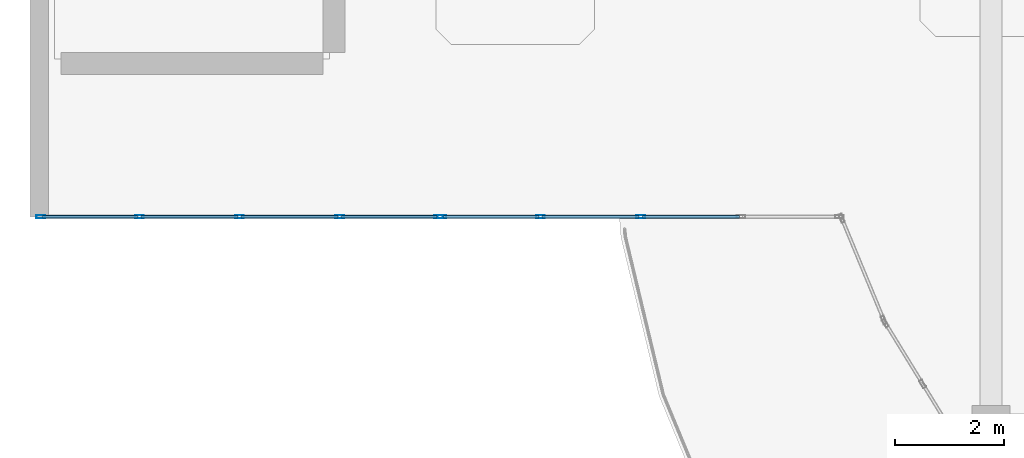
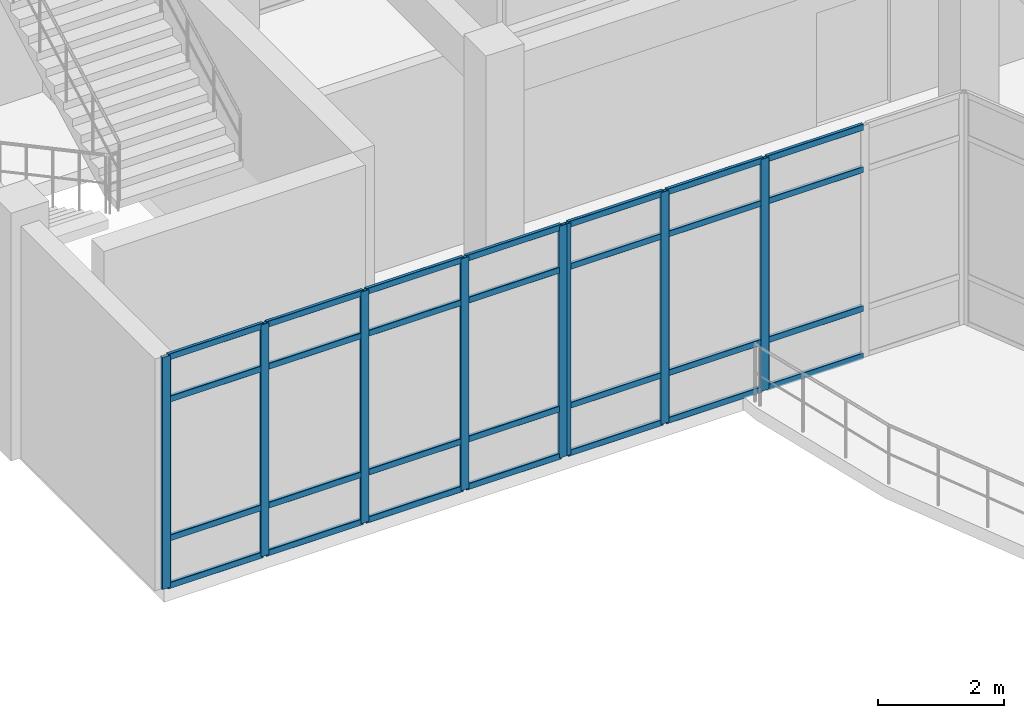
# One storey, part 2 of 64: 36 members, 2 elements without a shape of their own.
"""IFC4 building model written with IfcOpenShell, lengths in metres."""

from ifc_helpers import new_model, si_unit, derived_unit, direction, frame, origin, origin_2d, place, context, subcontext, project, spatial, hollow_rectangle, extrude, material, layer, layer_set, material_profile, profile_set, type_object, element, aggregate, save


model = new_model("IFC4")

# Units and contexts
model_context = context("Model", 3, precision=1e-05, world=origin(), true_north=direction((0.0, 1.0)))
body_context = subcontext(model_context, "Body", "Model", "MODEL_VIEW")
ifc_project = project(units=[si_unit("LENGTHUNIT", "METRE"), si_unit("AREAUNIT", "SQUARE_METRE"), si_unit("VOLUMEUNIT", "CUBIC_METRE"), si_unit("PLANEANGLEUNIT", "RADIAN"), si_unit("MASSUNIT", "GRAM", prefix="KILO"), derived_unit("THERMALTRANSMITTANCEUNIT", [(si_unit("MASSUNIT", "GRAM", prefix="KILO"), 1), (si_unit("TIMEUNIT", "SECOND"), -3), (si_unit("THERMODYNAMICTEMPERATUREUNIT", "KELVIN"), -1)])], contexts=[model_context])

# Site, building, storey
site_placement = place(None, origin())
site = spatial("IfcSite", under=ifc_project, at=site_placement, CompositionType="ELEMENT")
building_placement = place(site_placement, origin())
building = spatial("IfcBuilding", under=site, at=building_placement, Name="Qinzheling Arcade Emporium", CompositionType="ELEMENT")
storey_placement = place(building_placement, frame((0.0, 0.0, 31.5)))
storey = spatial("IfcBuildingStorey", under=building, at=storey_placement, Name="L07", CompositionType="ELEMENT", Elevation=31.5)

# Curtain wall, members
ifc_material_1 = material(Name="Anodised aluminium and solar-control double glazing", Category="aluminium")
ifc_layer = layer(ifc_material_1, 0.159912109375, Name="Anodised aluminium and solar-control double glazing", Category="aluminium")
ifc_layer_set = layer_set([ifc_layer], Name="Anodised aluminium and solar-control double glazing")
curtain_wall_type = type_object("IfcCurtainWallType", Name="Arcade Portal Glazed Curtain Wall", PredefinedType="NOTDEFINED", material=ifc_layer_set)
curtain_wall_1_placement = place(storey_placement, origin())
curtain_wall_1 = element("IfcCurtainWall", 1, at=curtain_wall_1_placement, inside=storey, type_object=curtain_wall_type, Name="Curtain Wall CW-L07-409", PredefinedType="NOTDEFINED")
ifc_material_2 = material(Name="Anodised aluminium 6063-T6", Category="aluminium")
ifc_material_profile_1 = material_profile(ifc_material_2, hollow_rectangle(XDim=0.06005859375, YDim=0.159912109375, WallThickness=0.00390625, InnerFilletRadius=0.00390625, OuterFilletRadius=0.008056640625, at=origin_2d()), Name="RHS 160x60x4", Category="aluminium")
ifc_profile_set_1 = profile_set([ifc_material_profile_1], Name="Anodised aluminium 6063-T6")
member_type_1 = type_object("IfcMemberType", Name="Curtain Wall Mullion RHS160x60", PredefinedType="MULLION", material=ifc_profile_set_1)
member_1_placement = place(storey_placement, frame((10.99560546875, 29.0, 0.0), z_axis=(0.0, 0.0, 1.0), x_axis=(0.0, -1.0, 0.0)))
member_1 = element("IfcMember", 2, at=member_1_placement, type_object=member_type_1, Name="CW05 mullion 3", PredefinedType="MULLION", context=body_context, shape_type="SweptSolid", body=[
    extrude(hollow_rectangle(XDim=0.06005859375, YDim=0.159912109375, WallThickness=0.00390625, InnerFilletRadius=0.00390625, OuterFilletRadius=0.008056640625, at=origin_2d()), origin(), (0.0, 0.0, 1.0), 4.489990234375),
])
member_2_placement = place(storey_placement, frame((9.163818359375, 29.0, 0.0), z_axis=(0.0, 0.0, 1.0), x_axis=(0.0, -1.0, 0.0)))
member_2 = element("IfcMember", 3, at=member_2_placement, type_object=member_type_1, Name="CW05 mullion 4", PredefinedType="MULLION", context=body_context, shape_type="SweptSolid", body=[
    extrude(hollow_rectangle(XDim=0.06005859375, YDim=0.159912109375, WallThickness=0.00390625, InnerFilletRadius=0.00390625, OuterFilletRadius=0.008056640625, at=origin_2d()), origin(), (0.0, 0.0, 1.0), 4.489990234375),
])
member_3_placement = place(storey_placement, frame((7.362060546875, 29.0, 0.0), z_axis=(0.0, 0.0, 1.0), x_axis=(0.0, -1.0, 0.0)))
member_3 = element("IfcMember", 4, at=member_3_placement, type_object=member_type_1, Name="CW05 mullion 5", PredefinedType="MULLION", context=body_context, shape_type="SweptSolid", body=[
    extrude(hollow_rectangle(XDim=0.06005859375, YDim=0.159912109375, WallThickness=0.00390625, InnerFilletRadius=0.00390625, OuterFilletRadius=0.008056640625, at=origin_2d()), origin(), (0.0, 0.0, 1.0), 4.489990234375),
])

curtain_wall_2_placement = place(storey_placement, origin())
curtain_wall_2 = element("IfcCurtainWall", 5, at=curtain_wall_2_placement, inside=storey, type_object=curtain_wall_type, Name="Curtain Wall CW-L07-410", PredefinedType="NOTDEFINED")
member_4_placement = place(storey_placement, frame((7.298095703125, 29.0, 0.0), z_axis=(0.0, 0.0, 1.0), x_axis=(0.0, -1.0, 0.0)))
member_4 = element("IfcMember", 6, at=member_4_placement, type_object=member_type_1, Name="CW05 mullion 1", PredefinedType="MULLION", context=body_context, shape_type="SweptSolid", body=[
    extrude(hollow_rectangle(XDim=0.06005859375, YDim=0.159912109375, WallThickness=0.00390625, InnerFilletRadius=0.00390625, OuterFilletRadius=0.008056640625, at=origin_2d()), origin(), (0.0, 0.0, 1.0), 4.489990234375),
])
member_5_placement = place(storey_placement, frame((5.49609375, 29.0, 0.0), z_axis=(0.0, 0.0, 1.0), x_axis=(0.0, -1.0, 0.0)))
member_5 = element("IfcMember", 7, at=member_5_placement, type_object=member_type_1, Name="CW05 mullion 2", PredefinedType="MULLION", context=body_context, shape_type="SweptSolid", body=[
    extrude(hollow_rectangle(XDim=0.06005859375, YDim=0.159912109375, WallThickness=0.00390625, InnerFilletRadius=0.00390625, OuterFilletRadius=0.008056640625, at=origin_2d()), origin(), (0.0, 0.0, 1.0), 4.489990234375),
])
member_6_placement = place(storey_placement, frame((3.6640625, 29.0, 0.0), z_axis=(0.0, 0.0, 1.0), x_axis=(0.0, -1.0, 0.0)))
member_6 = element("IfcMember", 8, at=member_6_placement, type_object=member_type_1, Name="CW05 mullion 3", PredefinedType="MULLION", context=body_context, shape_type="SweptSolid", body=[
    extrude(hollow_rectangle(XDim=0.06005859375, YDim=0.159912109375, WallThickness=0.00390625, InnerFilletRadius=0.00390625, OuterFilletRadius=0.008056640625, at=origin_2d()), origin(), (0.0, 0.0, 1.0), 4.489990234375),
])
member_7_placement = place(storey_placement, frame((1.83203125, 29.0, 0.0), z_axis=(0.0, 0.0, 1.0), x_axis=(0.0, -1.0, 0.0)))
member_7 = element("IfcMember", 9, at=member_7_placement, type_object=member_type_1, Name="CW05 mullion 4", PredefinedType="MULLION", context=body_context, shape_type="SweptSolid", body=[
    extrude(hollow_rectangle(XDim=0.06005859375, YDim=0.159912109375, WallThickness=0.00390625, InnerFilletRadius=0.00390625, OuterFilletRadius=0.008056640625, at=origin_2d()), origin(), (0.0, 0.0, 1.0), 4.489990234375),
])
member_8_placement = place(storey_placement, frame((0.030029296875, 29.0, 0.0), z_axis=(0.0, 0.0, 1.0), x_axis=(0.0, -1.0, 0.0)))
member_8 = element("IfcMember", 10, at=member_8_placement, type_object=member_type_1, Name="CW05 mullion 5", PredefinedType="MULLION", context=body_context, shape_type="SweptSolid", body=[
    extrude(hollow_rectangle(XDim=0.06005859375, YDim=0.159912109375, WallThickness=0.00390625, InnerFilletRadius=0.00390625, OuterFilletRadius=0.008056640625, at=origin_2d()), origin(), (0.0, 0.0, 1.0), 4.489990234375),
])

# Member
ifc_material_profile_2 = material_profile(ifc_material_2, hollow_rectangle(XDim=0.06005859375, YDim=0.1201171875, WallThickness=0.00390625, InnerFilletRadius=0.00390625, OuterFilletRadius=0.008056640625, at=origin_2d()), Name="RHS 120x60x4", Category="aluminium")
ifc_profile_set_2 = profile_set([ifc_material_profile_2], Name="Anodised aluminium 6063-T6")
member_type_2 = type_object("IfcMemberType", Name="Curtain Wall Transom RHS120x60", PredefinedType="USERDEFINED", material=ifc_profile_set_2)
member_9_placement = place(storey_placement, frame((12.79736328125, 29.0, 0.030029296875), z_axis=(-1.0, 0.0, 0.0), x_axis=(0.0, -1.0, 0.0)))
member_9 = element("IfcMember", 11, at=member_9_placement, type_object=member_type_2, Name="CW05 transom 2.1", ObjectType="TRANSOM", PredefinedType="USERDEFINED", context=body_context, shape_type="SweptSolid", body=[
    extrude(hollow_rectangle(XDim=0.06005859375, YDim=0.1201171875, WallThickness=0.00390625, InnerFilletRadius=0.00390625, OuterFilletRadius=0.008056640625, at=origin_2d()), origin(), (0.0, 0.0, 1.0), 1.77197265625),
])

member_10_placement = place(storey_placement, frame((12.79736328125, 29.0, 0.949951171875), z_axis=(-1.0, 0.0, 0.0), x_axis=(0.0, -1.0, 0.0)))
member_10 = element("IfcMember", 12, at=member_10_placement, type_object=member_type_2, Name="CW05 transom 2.2", ObjectType="TRANSOM", PredefinedType="USERDEFINED", context=body_context, shape_type="SweptSolid", body=[
    extrude(hollow_rectangle(XDim=0.06005859375, YDim=0.1201171875, WallThickness=0.00390625, InnerFilletRadius=0.00390625, OuterFilletRadius=0.008056640625, at=origin_2d()), origin(), (0.0, 0.0, 1.0), 1.77197265625),
])

member_11_placement = place(storey_placement, frame((12.79736328125, 29.0, 3.639892578125), z_axis=(-1.0, 0.0, 0.0), x_axis=(0.0, -1.0, 0.0)))
member_11 = element("IfcMember", 13, at=member_11_placement, type_object=member_type_2, Name="CW05 transom 2.3", ObjectType="TRANSOM", PredefinedType="USERDEFINED", context=body_context, shape_type="SweptSolid", body=[
    extrude(hollow_rectangle(XDim=0.06005859375, YDim=0.1201171875, WallThickness=0.00390625, InnerFilletRadius=0.00390625, OuterFilletRadius=0.008056640625, at=origin_2d()), origin(), (0.0, 0.0, 1.0), 1.77197265625),
])

member_12_placement = place(storey_placement, frame((12.79736328125, 29.0, 4.4599609375), z_axis=(-1.0, 0.0, 0.0), x_axis=(0.0, -1.0, 0.0)))
member_12 = element("IfcMember", 14, at=member_12_placement, type_object=member_type_2, Name="CW05 transom 2.4", ObjectType="TRANSOM", PredefinedType="USERDEFINED", context=body_context, shape_type="SweptSolid", body=[
    extrude(hollow_rectangle(XDim=0.06005859375, YDim=0.1201171875, WallThickness=0.00390625, InnerFilletRadius=0.00390625, OuterFilletRadius=0.008056640625, at=origin_2d()), origin(), (0.0, 0.0, 1.0), 1.77197265625),
])

member_13_placement = place(storey_placement, frame((10.965576171875, 29.0, 0.030029296875), z_axis=(-1.0, 0.0, 0.0), x_axis=(0.0, -1.0, 0.0)))
member_13 = element("IfcMember", 15, at=member_13_placement, type_object=member_type_2, Name="CW05 transom 3.1", ObjectType="TRANSOM", PredefinedType="USERDEFINED", context=body_context, shape_type="SweptSolid", body=[
    extrude(hollow_rectangle(XDim=0.06005859375, YDim=0.1201171875, WallThickness=0.00390625, InnerFilletRadius=0.00390625, OuterFilletRadius=0.008056640625, at=origin_2d()), origin(), (0.0, 0.0, 1.0), 1.771728515625),
])

member_14_placement = place(storey_placement, frame((10.965576171875, 29.0, 0.949951171875), z_axis=(-1.0, 0.0, 0.0), x_axis=(0.0, -1.0, 0.0)))
member_14 = element("IfcMember", 16, at=member_14_placement, type_object=member_type_2, Name="CW05 transom 3.2", ObjectType="TRANSOM", PredefinedType="USERDEFINED", context=body_context, shape_type="SweptSolid", body=[
    extrude(hollow_rectangle(XDim=0.06005859375, YDim=0.1201171875, WallThickness=0.00390625, InnerFilletRadius=0.00390625, OuterFilletRadius=0.008056640625, at=origin_2d()), origin(), (0.0, 0.0, 1.0), 1.771728515625),
])

member_15_placement = place(storey_placement, frame((10.965576171875, 29.0, 3.639892578125), z_axis=(-1.0, 0.0, 0.0), x_axis=(0.0, -1.0, 0.0)))
member_15 = element("IfcMember", 17, at=member_15_placement, type_object=member_type_2, Name="CW05 transom 3.3", ObjectType="TRANSOM", PredefinedType="USERDEFINED", context=body_context, shape_type="SweptSolid", body=[
    extrude(hollow_rectangle(XDim=0.06005859375, YDim=0.1201171875, WallThickness=0.00390625, InnerFilletRadius=0.00390625, OuterFilletRadius=0.008056640625, at=origin_2d()), origin(), (0.0, 0.0, 1.0), 1.771728515625),
])

member_16_placement = place(storey_placement, frame((10.965576171875, 29.0, 4.4599609375), z_axis=(-1.0, 0.0, 0.0), x_axis=(0.0, -1.0, 0.0)))
member_16 = element("IfcMember", 18, at=member_16_placement, type_object=member_type_2, Name="CW05 transom 3.4", ObjectType="TRANSOM", PredefinedType="USERDEFINED", context=body_context, shape_type="SweptSolid", body=[
    extrude(hollow_rectangle(XDim=0.06005859375, YDim=0.1201171875, WallThickness=0.00390625, InnerFilletRadius=0.00390625, OuterFilletRadius=0.008056640625, at=origin_2d()), origin(), (0.0, 0.0, 1.0), 1.771728515625),
])

member_17_placement = place(storey_placement, frame((9.1337890625, 29.0, 0.030029296875), z_axis=(-1.0, 0.0, 0.0), x_axis=(0.0, -1.0, 0.0)))
member_17 = element("IfcMember", 19, at=member_17_placement, type_object=member_type_2, Name="CW05 transom 4.1", ObjectType="TRANSOM", PredefinedType="USERDEFINED", context=body_context, shape_type="SweptSolid", body=[
    extrude(hollow_rectangle(XDim=0.06005859375, YDim=0.1201171875, WallThickness=0.00390625, InnerFilletRadius=0.00390625, OuterFilletRadius=0.008056640625, at=origin_2d()), origin(), (0.0, 0.0, 1.0), 1.74169921875),
])

member_18_placement = place(storey_placement, frame((9.1337890625, 29.0, 0.949951171875), z_axis=(-1.0, 0.0, 0.0), x_axis=(0.0, -1.0, 0.0)))
member_18 = element("IfcMember", 20, at=member_18_placement, type_object=member_type_2, Name="CW05 transom 4.2", ObjectType="TRANSOM", PredefinedType="USERDEFINED", context=body_context, shape_type="SweptSolid", body=[
    extrude(hollow_rectangle(XDim=0.06005859375, YDim=0.1201171875, WallThickness=0.00390625, InnerFilletRadius=0.00390625, OuterFilletRadius=0.008056640625, at=origin_2d()), origin(), (0.0, 0.0, 1.0), 1.74169921875),
])

member_19_placement = place(storey_placement, frame((9.1337890625, 29.0, 3.639892578125), z_axis=(-1.0, 0.0, 0.0), x_axis=(0.0, -1.0, 0.0)))
member_19 = element("IfcMember", 21, at=member_19_placement, type_object=member_type_2, Name="CW05 transom 4.3", ObjectType="TRANSOM", PredefinedType="USERDEFINED", context=body_context, shape_type="SweptSolid", body=[
    extrude(hollow_rectangle(XDim=0.06005859375, YDim=0.1201171875, WallThickness=0.00390625, InnerFilletRadius=0.00390625, OuterFilletRadius=0.008056640625, at=origin_2d()), origin(), (0.0, 0.0, 1.0), 1.74169921875),
])

member_20_placement = place(storey_placement, frame((9.1337890625, 29.0, 4.4599609375), z_axis=(-1.0, 0.0, 0.0), x_axis=(0.0, -1.0, 0.0)))
member_20 = element("IfcMember", 22, at=member_20_placement, type_object=member_type_2, Name="CW05 transom 4.4", ObjectType="TRANSOM", PredefinedType="USERDEFINED", context=body_context, shape_type="SweptSolid", body=[
    extrude(hollow_rectangle(XDim=0.06005859375, YDim=0.1201171875, WallThickness=0.00390625, InnerFilletRadius=0.00390625, OuterFilletRadius=0.008056640625, at=origin_2d()), origin(), (0.0, 0.0, 1.0), 1.74169921875),
])

aggregate(curtain_wall_1, [member_1, member_2, member_3, member_9, member_10, member_11, member_12, member_13, member_14, member_15, member_16, member_17, member_18, member_19, member_20])

member_21_placement = place(storey_placement, frame((7.26806640625, 29.0, 0.030029296875), z_axis=(-1.0, 0.0, 0.0), x_axis=(0.0, -1.0, 0.0)))
member_21 = element("IfcMember", 23, at=member_21_placement, type_object=member_type_2, Name="CW05 transom 1.1", ObjectType="TRANSOM", PredefinedType="USERDEFINED", context=body_context, shape_type="SweptSolid", body=[
    extrude(hollow_rectangle(XDim=0.06005859375, YDim=0.1201171875, WallThickness=0.00390625, InnerFilletRadius=0.00390625, OuterFilletRadius=0.008056640625, at=origin_2d()), origin(), (0.0, 0.0, 1.0), 1.7421875),
])

member_22_placement = place(storey_placement, frame((7.26806640625, 29.0, 0.949951171875), z_axis=(-1.0, 0.0, 0.0), x_axis=(0.0, -1.0, 0.0)))
member_22 = element("IfcMember", 24, at=member_22_placement, type_object=member_type_2, Name="CW05 transom 1.2", ObjectType="TRANSOM", PredefinedType="USERDEFINED", context=body_context, shape_type="SweptSolid", body=[
    extrude(hollow_rectangle(XDim=0.06005859375, YDim=0.1201171875, WallThickness=0.00390625, InnerFilletRadius=0.00390625, OuterFilletRadius=0.008056640625, at=origin_2d()), origin(), (0.0, 0.0, 1.0), 1.7421875),
])

member_23_placement = place(storey_placement, frame((7.26806640625, 29.0, 3.639892578125), z_axis=(-1.0, 0.0, 0.0), x_axis=(0.0, -1.0, 0.0)))
member_23 = element("IfcMember", 25, at=member_23_placement, type_object=member_type_2, Name="CW05 transom 1.3", ObjectType="TRANSOM", PredefinedType="USERDEFINED", context=body_context, shape_type="SweptSolid", body=[
    extrude(hollow_rectangle(XDim=0.06005859375, YDim=0.1201171875, WallThickness=0.00390625, InnerFilletRadius=0.00390625, OuterFilletRadius=0.008056640625, at=origin_2d()), origin(), (0.0, 0.0, 1.0), 1.7421875),
])

member_24_placement = place(storey_placement, frame((7.26806640625, 29.0, 4.4599609375), z_axis=(-1.0, 0.0, 0.0), x_axis=(0.0, -1.0, 0.0)))
member_24 = element("IfcMember", 26, at=member_24_placement, type_object=member_type_2, Name="CW05 transom 1.4", ObjectType="TRANSOM", PredefinedType="USERDEFINED", context=body_context, shape_type="SweptSolid", body=[
    extrude(hollow_rectangle(XDim=0.06005859375, YDim=0.1201171875, WallThickness=0.00390625, InnerFilletRadius=0.00390625, OuterFilletRadius=0.008056640625, at=origin_2d()), origin(), (0.0, 0.0, 1.0), 1.7421875),
])

member_25_placement = place(storey_placement, frame((5.466064453125, 29.0, 0.030029296875), z_axis=(-1.0, 0.0, 0.0), x_axis=(0.0, -1.0, 0.0)))
member_25 = element("IfcMember", 27, at=member_25_placement, type_object=member_type_2, Name="CW05 transom 2.1", ObjectType="TRANSOM", PredefinedType="USERDEFINED", context=body_context, shape_type="SweptSolid", body=[
    extrude(hollow_rectangle(XDim=0.06005859375, YDim=0.1201171875, WallThickness=0.00390625, InnerFilletRadius=0.00390625, OuterFilletRadius=0.008056640625, at=origin_2d()), origin(), (0.0, 0.0, 1.0), 1.77197265625),
])

member_26_placement = place(storey_placement, frame((5.466064453125, 29.0, 0.949951171875), z_axis=(-1.0, 0.0, 0.0), x_axis=(0.0, -1.0, 0.0)))
member_26 = element("IfcMember", 28, at=member_26_placement, type_object=member_type_2, Name="CW05 transom 2.2", ObjectType="TRANSOM", PredefinedType="USERDEFINED", context=body_context, shape_type="SweptSolid", body=[
    extrude(hollow_rectangle(XDim=0.06005859375, YDim=0.1201171875, WallThickness=0.00390625, InnerFilletRadius=0.00390625, OuterFilletRadius=0.008056640625, at=origin_2d()), origin(), (0.0, 0.0, 1.0), 1.77197265625),
])

member_27_placement = place(storey_placement, frame((5.466064453125, 29.0, 3.639892578125), z_axis=(-1.0, 0.0, 0.0), x_axis=(0.0, -1.0, 0.0)))
member_27 = element("IfcMember", 29, at=member_27_placement, type_object=member_type_2, Name="CW05 transom 2.3", ObjectType="TRANSOM", PredefinedType="USERDEFINED", context=body_context, shape_type="SweptSolid", body=[
    extrude(hollow_rectangle(XDim=0.06005859375, YDim=0.1201171875, WallThickness=0.00390625, InnerFilletRadius=0.00390625, OuterFilletRadius=0.008056640625, at=origin_2d()), origin(), (0.0, 0.0, 1.0), 1.77197265625),
])

member_28_placement = place(storey_placement, frame((5.466064453125, 29.0, 4.4599609375), z_axis=(-1.0, 0.0, 0.0), x_axis=(0.0, -1.0, 0.0)))
member_28 = element("IfcMember", 30, at=member_28_placement, type_object=member_type_2, Name="CW05 transom 2.4", ObjectType="TRANSOM", PredefinedType="USERDEFINED", context=body_context, shape_type="SweptSolid", body=[
    extrude(hollow_rectangle(XDim=0.06005859375, YDim=0.1201171875, WallThickness=0.00390625, InnerFilletRadius=0.00390625, OuterFilletRadius=0.008056640625, at=origin_2d()), origin(), (0.0, 0.0, 1.0), 1.77197265625),
])

member_29_placement = place(storey_placement, frame((3.634033203125, 29.0, 0.030029296875), z_axis=(-1.0, 0.0, 0.0), x_axis=(0.0, -1.0, 0.0)))
member_29 = element("IfcMember", 31, at=member_29_placement, type_object=member_type_2, Name="CW05 transom 3.1", ObjectType="TRANSOM", PredefinedType="USERDEFINED", context=body_context, shape_type="SweptSolid", body=[
    extrude(hollow_rectangle(XDim=0.06005859375, YDim=0.1201171875, WallThickness=0.00390625, InnerFilletRadius=0.00390625, OuterFilletRadius=0.008056640625, at=origin_2d()), origin(), (0.0, 0.0, 1.0), 1.77197265625),
])

member_30_placement = place(storey_placement, frame((3.634033203125, 29.0, 0.949951171875), z_axis=(-1.0, 0.0, 0.0), x_axis=(0.0, -1.0, 0.0)))
member_30 = element("IfcMember", 32, at=member_30_placement, type_object=member_type_2, Name="CW05 transom 3.2", ObjectType="TRANSOM", PredefinedType="USERDEFINED", context=body_context, shape_type="SweptSolid", body=[
    extrude(hollow_rectangle(XDim=0.06005859375, YDim=0.1201171875, WallThickness=0.00390625, InnerFilletRadius=0.00390625, OuterFilletRadius=0.008056640625, at=origin_2d()), origin(), (0.0, 0.0, 1.0), 1.77197265625),
])

member_31_placement = place(storey_placement, frame((3.634033203125, 29.0, 3.639892578125), z_axis=(-1.0, 0.0, 0.0), x_axis=(0.0, -1.0, 0.0)))
member_31 = element("IfcMember", 33, at=member_31_placement, type_object=member_type_2, Name="CW05 transom 3.3", ObjectType="TRANSOM", PredefinedType="USERDEFINED", context=body_context, shape_type="SweptSolid", body=[
    extrude(hollow_rectangle(XDim=0.06005859375, YDim=0.1201171875, WallThickness=0.00390625, InnerFilletRadius=0.00390625, OuterFilletRadius=0.008056640625, at=origin_2d()), origin(), (0.0, 0.0, 1.0), 1.77197265625),
])

member_32_placement = place(storey_placement, frame((3.634033203125, 29.0, 4.4599609375), z_axis=(-1.0, 0.0, 0.0), x_axis=(0.0, -1.0, 0.0)))
member_32 = element("IfcMember", 34, at=member_32_placement, type_object=member_type_2, Name="CW05 transom 3.4", ObjectType="TRANSOM", PredefinedType="USERDEFINED", context=body_context, shape_type="SweptSolid", body=[
    extrude(hollow_rectangle(XDim=0.06005859375, YDim=0.1201171875, WallThickness=0.00390625, InnerFilletRadius=0.00390625, OuterFilletRadius=0.008056640625, at=origin_2d()), origin(), (0.0, 0.0, 1.0), 1.77197265625),
])

member_33_placement = place(storey_placement, frame((1.802001953125, 29.0, 0.030029296875), z_axis=(-1.0, 0.0, 0.0), x_axis=(0.0, -1.0, 0.0)))
member_33 = element("IfcMember", 35, at=member_33_placement, type_object=member_type_2, Name="CW05 transom 4.1", ObjectType="TRANSOM", PredefinedType="USERDEFINED", context=body_context, shape_type="SweptSolid", body=[
    extrude(hollow_rectangle(XDim=0.06005859375, YDim=0.1201171875, WallThickness=0.00390625, InnerFilletRadius=0.00390625, OuterFilletRadius=0.008056640625, at=origin_2d()), origin(), (0.0, 0.0, 1.0), 1.741943359375),
])

member_34_placement = place(storey_placement, frame((1.802001953125, 29.0, 0.949951171875), z_axis=(-1.0, 0.0, 0.0), x_axis=(0.0, -1.0, 0.0)))
member_34 = element("IfcMember", 36, at=member_34_placement, type_object=member_type_2, Name="CW05 transom 4.2", ObjectType="TRANSOM", PredefinedType="USERDEFINED", context=body_context, shape_type="SweptSolid", body=[
    extrude(hollow_rectangle(XDim=0.06005859375, YDim=0.1201171875, WallThickness=0.00390625, InnerFilletRadius=0.00390625, OuterFilletRadius=0.008056640625, at=origin_2d()), origin(), (0.0, 0.0, 1.0), 1.741943359375),
])

member_35_placement = place(storey_placement, frame((1.802001953125, 29.0, 3.639892578125), z_axis=(-1.0, 0.0, 0.0), x_axis=(0.0, -1.0, 0.0)))
member_35 = element("IfcMember", 37, at=member_35_placement, type_object=member_type_2, Name="CW05 transom 4.3", ObjectType="TRANSOM", PredefinedType="USERDEFINED", context=body_context, shape_type="SweptSolid", body=[
    extrude(hollow_rectangle(XDim=0.06005859375, YDim=0.1201171875, WallThickness=0.00390625, InnerFilletRadius=0.00390625, OuterFilletRadius=0.008056640625, at=origin_2d()), origin(), (0.0, 0.0, 1.0), 1.741943359375),
])

member_36_placement = place(storey_placement, frame((1.802001953125, 29.0, 4.4599609375), z_axis=(-1.0, 0.0, 0.0), x_axis=(0.0, -1.0, 0.0)))
member_36 = element("IfcMember", 38, at=member_36_placement, type_object=member_type_2, Name="CW05 transom 4.4", ObjectType="TRANSOM", PredefinedType="USERDEFINED", context=body_context, shape_type="SweptSolid", body=[
    extrude(hollow_rectangle(XDim=0.06005859375, YDim=0.1201171875, WallThickness=0.00390625, InnerFilletRadius=0.00390625, OuterFilletRadius=0.008056640625, at=origin_2d()), origin(), (0.0, 0.0, 1.0), 1.741943359375),
])

aggregate(curtain_wall_2, [member_4, member_5, member_6, member_7, member_8, member_21, member_22, member_23, member_24, member_25, member_26, member_27, member_28, member_29, member_30, member_31, member_32, member_33, member_34, member_35, member_36])

save(model, "model.ifc")
